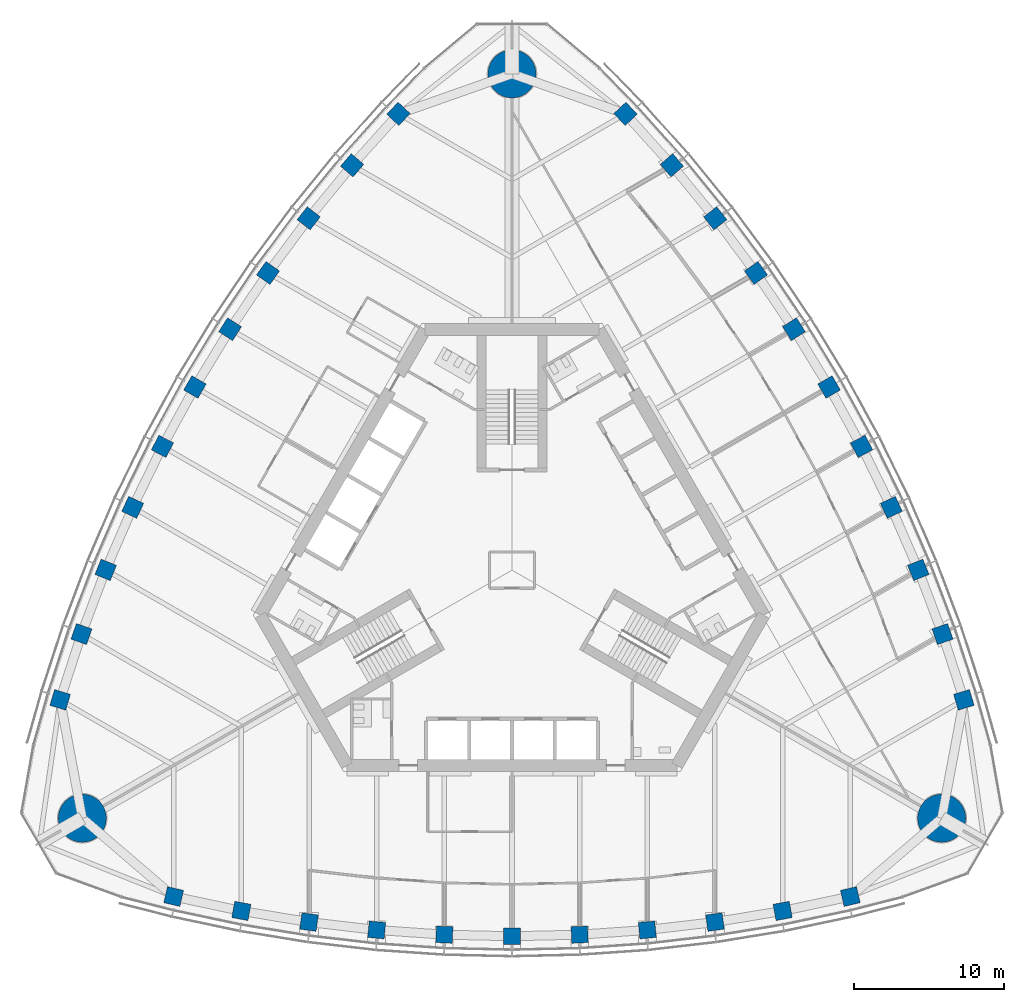
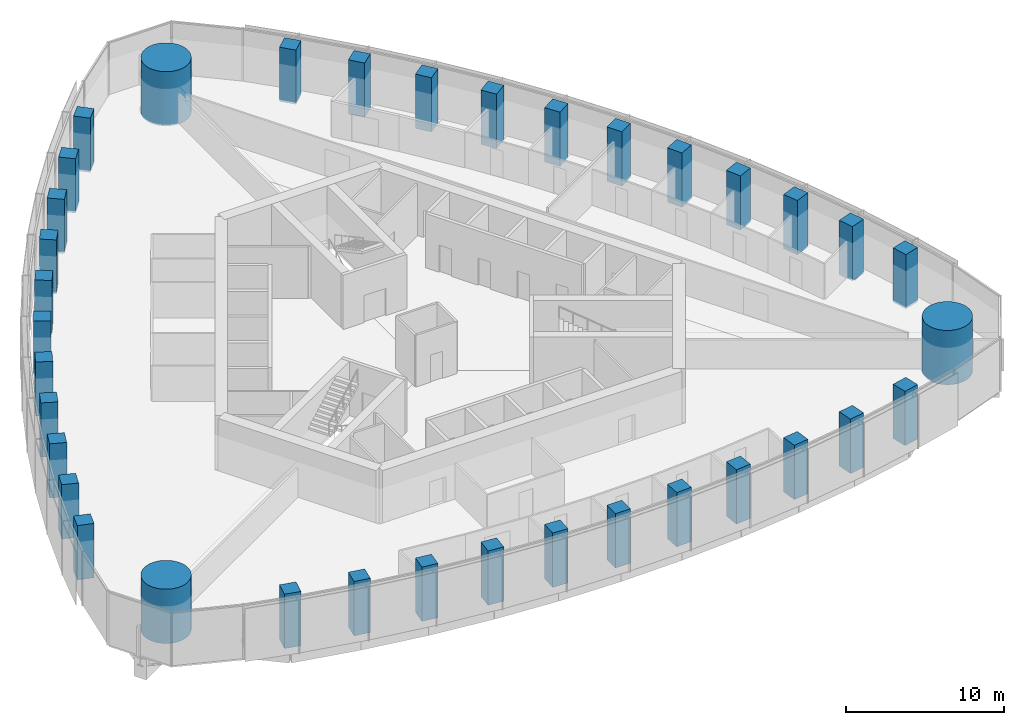
# One storey, part 1 of 20: 36 columns.
"""IFC4 building model written with IfcOpenShell, lengths in metres."""

from ifc_helpers import new_model, si_unit, direction, frame, origin, origin_2d, place, context, subcontext, project, spatial, rectangle, circle, extrude, material, material_profile, profile_set, type_object, element, save


model = new_model("IFC4")

# Units and contexts
model_context = context("Model", 3, precision=1e-05, world=origin(), true_north=direction((0.0, 1.0)))
body_context = subcontext(model_context, "Body", "Model", "MODEL_VIEW")
ifc_project = project(units=[si_unit("LENGTHUNIT", "METRE"), si_unit("AREAUNIT", "SQUARE_METRE"), si_unit("VOLUMEUNIT", "CUBIC_METRE"), si_unit("PLANEANGLEUNIT", "RADIAN"), si_unit("MASSUNIT", "GRAM", prefix="KILO")], contexts=[model_context])

# Site, building, storey
site_placement = place(None, origin())
site = spatial("IfcSite", under=ifc_project, at=site_placement, CompositionType="ELEMENT")
building_placement = place(site_placement, origin())
building = spatial("IfcBuilding", under=site, at=building_placement, Name="Trefoil Bronze Tower", CompositionType="ELEMENT")
storey_placement = place(building_placement, frame((0.0, 0.0, 210.699951171875)))
storey = spatial("IfcBuildingStorey", under=building, at=storey_placement, Name="L48", CompositionType="ELEMENT", Elevation=210.699951171875)

# Columns
ifc_material_1 = material(Name="Concrete B80", Category="concrete")
ifc_material_profile_1 = material_profile(ifc_material_1, circle(Radius=1.60009765625, at=origin_2d()), Name="RC D3200")
ifc_profile_set_1 = profile_set([ifc_material_profile_1], Name="Concrete B80")
column_type_1 = type_object("IfcColumnType", Name="Mega column RC D3200", PredefinedType="COLUMN", material=ifc_profile_set_1)
for number, where, z_axis, x_axis, name in (
    (1, (28.578857421875, -16.5, 0.0), (0.0, 0.0, 1.0), (1.0, 0.0, 0.0), "Mega column K1 L48"),
    (2, (0.0, 33.0, 0.0), (0.0, 0.0, 1.0), (1.0, 0.0, 0.0), "Mega column K2 L48"),
    (3, (-28.578857421875, -16.5, 0.0), (0.0, 0.0, 1.0), (1.0, 0.0, 0.0), "Mega column K3 L48"),
):
    element("IfcColumn", number, at=place(storey_placement, frame(where, z_axis=z_axis, x_axis=x_axis)), inside=storey, type_object=column_type_1, Name=name, PredefinedType="COLUMN", context=body_context, shape_type="SweptSolid", body=[
        extrude(circle(Radius=1.60009765625, at=origin_2d()), origin(), (0.0, 0.0, 1.0), 4.199951171875),
    ])
ifc_material_2 = material(Name="Concrete B80", Category="concrete")
ifc_material_profile_2 = material_profile(ifc_material_2, rectangle(XDim=1.10009765625, YDim=1.10009765625, at=origin_2d()), Name="RC 1100x1100")
ifc_profile_set_2 = profile_set([ifc_material_profile_2], Name="Concrete B80")
column_type_2 = type_object("IfcColumnType", Name="Tube column RC 1100x1100", PredefinedType="COLUMN", material=ifc_profile_set_2)
for number, where, z_axis, x_axis, name in (
    (4, (-22.5, -21.71044921875, 0.0), (0.0, 0.0, 1.0), (0.973875487093, -0.227082662569, 0.0), "Tube column F1/-5 L48"),
    (5, (-18.0, -22.6689453125, 0.0), (0.0, 0.0, 1.0), (0.982958917767, -0.183825368167, 0.0), "Tube column F1/-4 L48"),
    (6, (-13.5, -23.408447265625, 0.0), (0.0, 0.0, 1.0), (0.990450627582, -0.137867887204, 0.0), "Tube column F1/-3 L48"),
    (7, (-9.0, -23.932861328125, 0.0), (0.0, 0.0, 1.0), (0.995767189263, -0.091911396394, 0.0), "Tube column F1/-2 L48"),
    (8, (-4.5, -24.246337890625, 0.0), (0.0, 0.0, 1.0), (0.998943485952, -0.045955542372, 0.0), "Tube column F1/-1 L48"),
    (9, (0.0, -24.3505859375, 0.0), (0.0, 0.0, 1.0), (1.0, 0.0, 0.0), "Tube column F1/+0 L48"),
    (10, (4.5, -24.246337890625, 0.0), (0.0, 0.0, 1.0), (0.998943485952, 0.045955542372, 0.0), "Tube column F1/+1 L48"),
    (11, (9.0, -23.932861328125, 0.0), (0.0, 0.0, 1.0), (0.995767189263, 0.091911396394, 0.0), "Tube column F1/+2 L48"),
    (12, (13.5, -23.408447265625, 0.0), (0.0, 0.0, 1.0), (0.990450627582, 0.137867887204, 0.0), "Tube column F1/+3 L48"),
    (13, (18.0, -22.6689453125, 0.0), (0.0, 0.0, 1.0), (0.982958917767, 0.183825368167, 0.0), "Tube column F1/+4 L48"),
    (14, (22.5, -21.71044921875, 0.0), (0.0, 0.0, 1.0), (0.973875487093, 0.227082662569, 0.0), "Tube column F1/+5 L48"),
    (15, (30.052001953125, -8.63037109375, 0.0), (0.0, 0.0, 1.0), (-0.290278389002, 0.95694224323, 0.0), "Tube column F2/-5 L48"),
    (16, (28.632080078125, -4.25390625, 0.0), (0.0, 0.0, 1.0), (-0.332282020191, 0.943180077746, 0.0), "Tube column F2/-4 L48"),
    (17, (27.022216796875, 0.012939453125, 0.0), (0.0, 0.0, 1.0), (-0.375828221106, 0.926689348282, 0.0), "Tube column F2/-3 L48"),
    (18, (25.2265625, 4.17236328125, 0.0), (0.0, 0.0, 1.0), (-0.418285990457, 0.908315380354, 0.0), "Tube column F2/-2 L48"),
    (19, (23.248046875, 8.22607421875, 0.0), (0.0, 0.0, 1.0), (-0.459673075837, 0.888088206965, 0.0), "Tube column F2/-1 L48"),
    (20, (21.08837890625, 12.17529296875, 0.0), (0.0, 0.0, 1.0), (-0.5, 0.866025403784, 0.0), "Tube column F2/+0 L48"),
    (21, (18.748046875, 16.020263671875, 0.0), (0.0, 0.0, 1.0), (-0.539270410114, 0.842132664593, 0.0), "Tube column F2/+1 L48"),
    (22, (16.2265625, 19.7607421875, 0.0), (0.0, 0.0, 1.0), (-0.577481198806, 0.81640398396, 0.0), "Tube column F2/+2 L48"),
    (23, (13.522216796875, 23.3955078125, 0.0), (0.0, 0.0, 1.0), (-0.614622406476, 0.788821461078, 0.0), "Tube column F2/+3 L48"),
    (24, (10.632080078125, 26.923095703125, 0.0), (0.0, 0.0, 1.0), (-0.650676897576, 0.75935470958, 0.0), "Tube column F2/+4 L48"),
    (25, (7.552001953125, 30.3408203125, 0.0), (0.0, 0.0, 1.0), (-0.683597098091, 0.729859580661, 0.0), "Tube column F2/+5 L48"),
    (26, (-7.552001953125, 30.3408203125, 0.0), (0.0, 0.0, 1.0), (-0.683597098091, -0.729859580661, 0.0), "Tube column F3/-5 L48"),
    (27, (-10.632080078125, 26.923095703125, 0.0), (0.0, 0.0, 1.0), (-0.650676897576, -0.75935470958, 0.0), "Tube column F3/-4 L48"),
    (28, (-13.522216796875, 23.3955078125, 0.0), (0.0, 0.0, 1.0), (-0.614622406476, -0.788821461078, 0.0), "Tube column F3/-3 L48"),
    (29, (-16.2265625, 19.7607421875, 0.0), (0.0, 0.0, 1.0), (-0.577481198806, -0.81640398396, 0.0), "Tube column F3/-2 L48"),
    (30, (-18.748046875, 16.020263671875, 0.0), (0.0, 0.0, 1.0), (-0.539270410114, -0.842132664593, 0.0), "Tube column F3/-1 L48"),
    (31, (-21.08837890625, 12.17529296875, 0.0), (0.0, 0.0, 1.0), (-0.5, -0.866025403784, 0.0), "Tube column F3/+0 L48"),
    (32, (-23.248046875, 8.22607421875, 0.0), (0.0, 0.0, 1.0), (-0.459673075837, -0.888088206965, 0.0), "Tube column F3/+1 L48"),
    (33, (-25.2265625, 4.17236328125, 0.0), (0.0, 0.0, 1.0), (-0.418285990457, -0.908315380354, 0.0), "Tube column F3/+2 L48"),
    (34, (-27.022216796875, 0.012939453125, 0.0), (0.0, 0.0, 1.0), (-0.375828221106, -0.926689348282, 0.0), "Tube column F3/+3 L48"),
    (35, (-28.632080078125, -4.25390625, 0.0), (0.0, 0.0, 1.0), (-0.332282020191, -0.943180077746, 0.0), "Tube column F3/+4 L48"),
    (36, (-30.052001953125, -8.63037109375, 0.0), (0.0, 0.0, 1.0), (-0.290278389002, -0.95694224323, 0.0), "Tube column F3/+5 L48"),
):
    element("IfcColumn", number, at=place(storey_placement, frame(where, z_axis=z_axis, x_axis=x_axis)), inside=storey, type_object=column_type_2, Name=name, PredefinedType="COLUMN", context=body_context, shape_type="SweptSolid", body=[
        extrude(rectangle(XDim=1.10009765625, YDim=1.10009765625, at=origin_2d()), origin(), (0.0, 0.0, 1.0), 4.199951171875),
    ])

save(model, "model.ifc")
